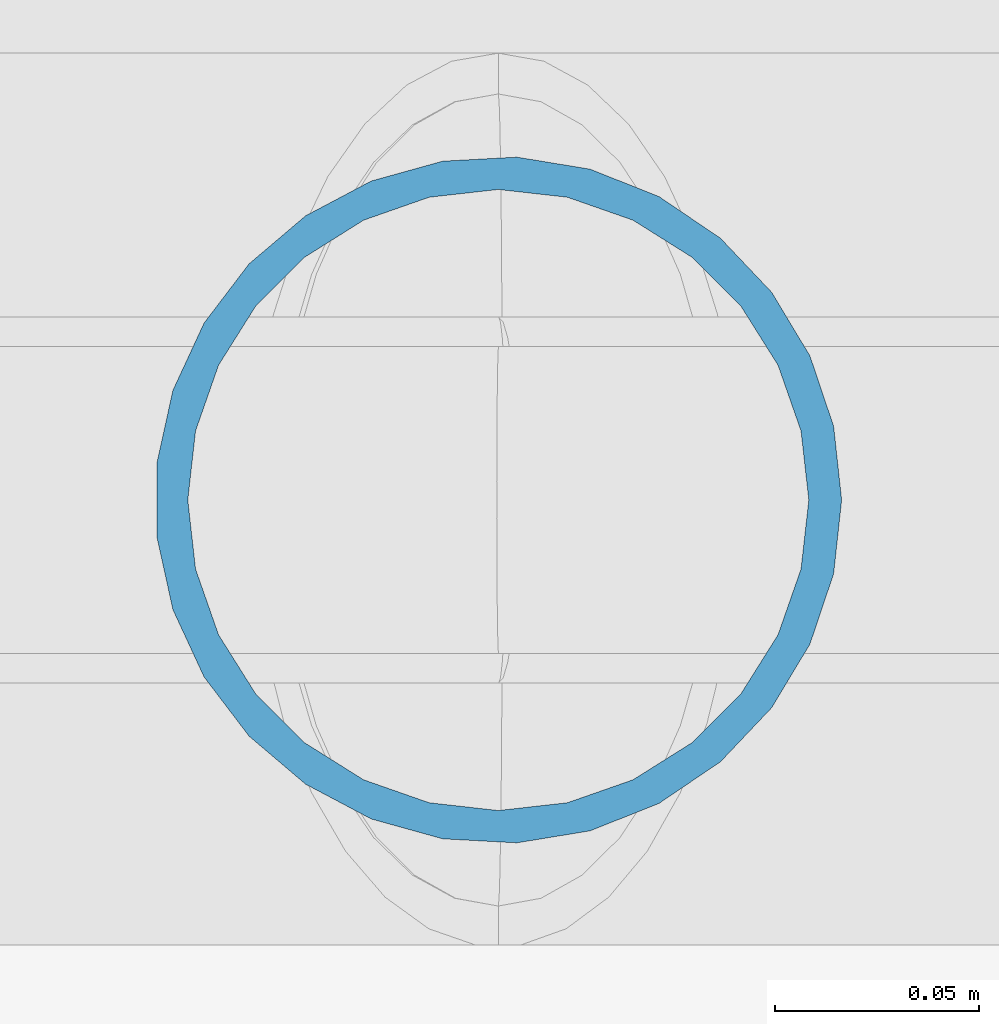
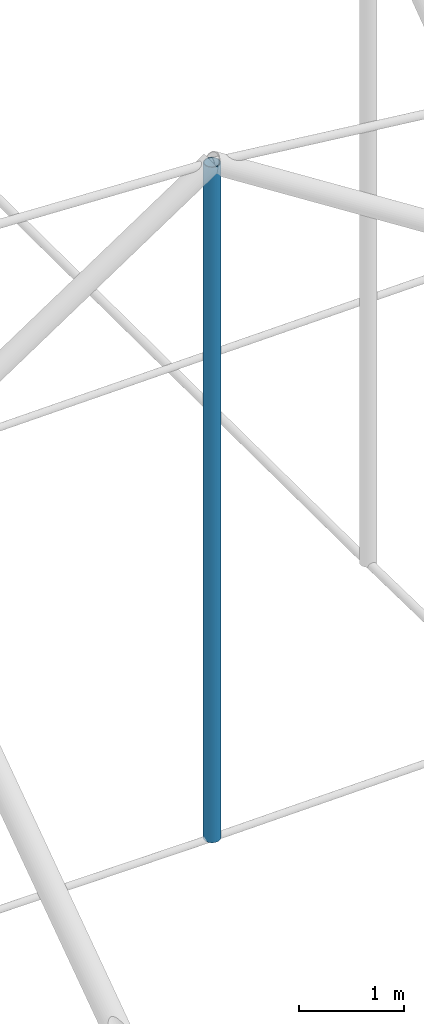
# One storey, part 30 of 173: 1 member.
"""IFC4 building model written with IfcOpenShell, lengths in metres."""

from ifc_helpers import new_model, si_unit, direction, frame, origin, origin_2d, place, context, subcontext, project, spatial, hollow_circle, extrude, material, material_profile, profile_set, type_object, element, save


model = new_model("IFC4")

# Units and contexts
model_context = context("Model", 3, precision=1e-05, world=origin(), true_north=direction((0.0, 1.0)))
body_context = subcontext(model_context, "Body", "Model", "MODEL_VIEW")
ifc_project = project(units=[si_unit("LENGTHUNIT", "METRE"), si_unit("AREAUNIT", "SQUARE_METRE"), si_unit("VOLUMEUNIT", "CUBIC_METRE"), si_unit("PLANEANGLEUNIT", "RADIAN"), si_unit("MASSUNIT", "GRAM", prefix="KILO")], contexts=[model_context])

# Site, building, storey
site_placement = place(None, origin())
site = spatial("IfcSite", under=ifc_project, at=site_placement, CompositionType="ELEMENT")
building_placement = place(site_placement, origin())
building = spatial("IfcBuilding", under=site, at=building_placement, Name="Glasvene Arena", CompositionType="ELEMENT")
storey_placement = place(building_placement, frame((0.0, 0.0, 28.800048828125)))
storey = spatial("IfcBuildingStorey", under=building, at=storey_placement, Name="RF", CompositionType="ELEMENT", Elevation=28.800048828125)

# Member
ifc_material = material(Name="Steel S355J2", Category="steel")
ifc_material_profile = material_profile(ifc_material, hollow_circle(Radius=0.084228515625, WallThickness=0.008056640625, at=origin_2d()), Name="CHS 168.3x8.0")
ifc_profile_set = profile_set([ifc_material_profile], Name="Steel S355J2")
member_type = type_object("IfcMemberType", Name="MB-WEB-CHS168", PredefinedType="BRACE", material=ifc_profile_set)
member_placement = place(storey_placement, frame((103.88818359375, 59.09423828125, -2.328125), z_axis=(0.0, 0.0, 1.0), x_axis=(1.0, 0.0, 0.0)))
element("IfcMember", 1, at=member_placement, inside=storey, type_object=member_type, Name="Cable-truss vertical strut EW02-05", PredefinedType="BRACE", context=body_context, shape_type="SweptSolid", body=[
    extrude(hollow_circle(Radius=0.084228515625, WallThickness=0.008056640625, at=origin_2d()), origin(), (0.0, 0.0, 1.0), 7.827392578125),
])

save(model, "model.ifc")
